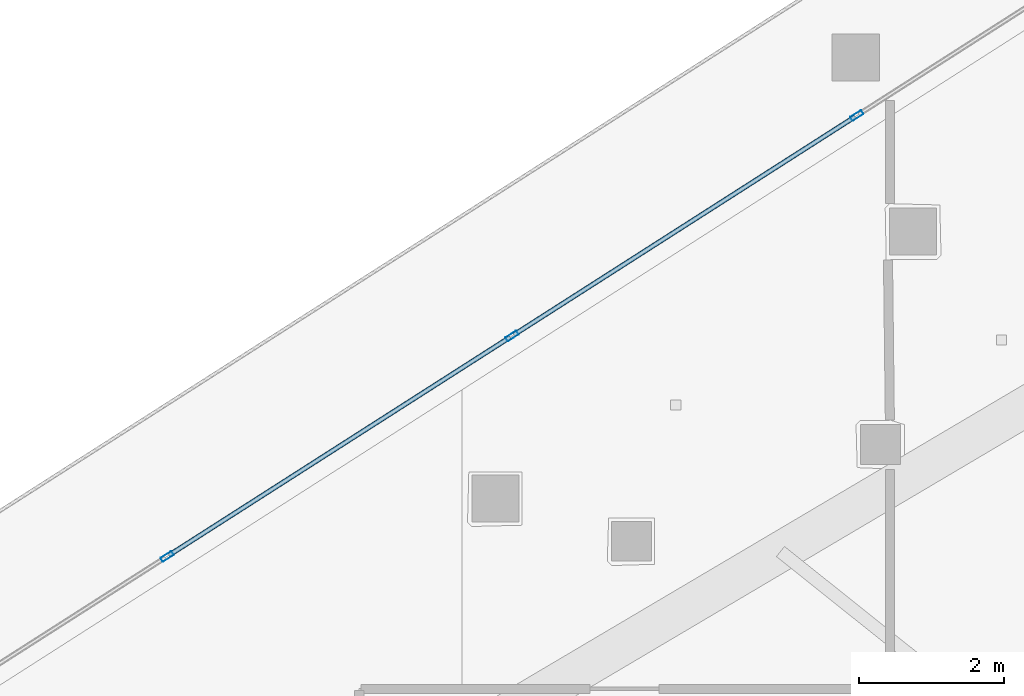
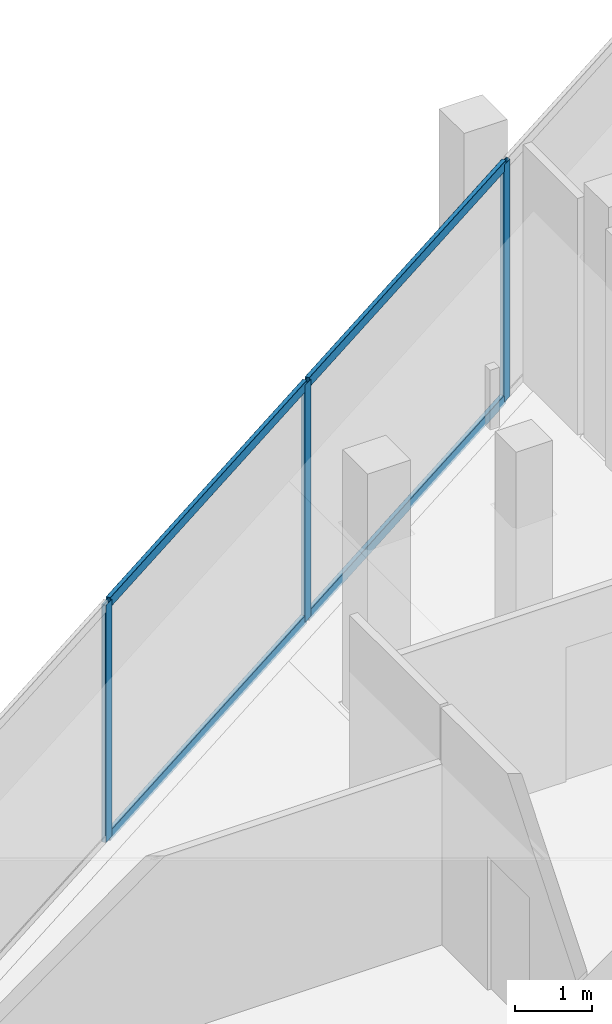
# One storey, part 17 of 37: 7 members, 1 element without a shape of its own.
"""IFC4 building model written with IfcOpenShell, lengths in metres."""

from ifc_helpers import new_model, si_unit, direction, frame, origin, origin_2d, place, context, subcontext, project, spatial, hollow_rectangle, extrude, material, layer, layer_set, material_profile, profile_set, type_object, element, aggregate, save


model = new_model("IFC4")

# Units and contexts
model_context = context("Model", 3, precision=1e-05, world=origin(), true_north=direction((0.0, 1.0)))
body_context = subcontext(model_context, "Body", "Model", "MODEL_VIEW")
ifc_project = project(units=[si_unit("LENGTHUNIT", "METRE"), si_unit("AREAUNIT", "SQUARE_METRE"), si_unit("VOLUMEUNIT", "CUBIC_METRE"), si_unit("PLANEANGLEUNIT", "RADIAN"), si_unit("MASSUNIT", "GRAM", prefix="KILO")], contexts=[model_context])

# Site, building, storey
site_placement = place(None, origin())
site = spatial("IfcSite", under=ifc_project, at=site_placement, CompositionType="ELEMENT")
building_placement = place(site_placement, origin())
building = spatial("IfcBuilding", under=site, at=building_placement, Name="Qorvath Tower", CompositionType="ELEMENT")
storey_placement = place(building_placement, frame((0.0, 0.0, 196.949951171875)))
storey = spatial("IfcBuildingStorey", under=building, at=storey_placement, Name="L45", CompositionType="ELEMENT", Elevation=196.949951171875)

# Curtain wall, members
ifc_material_1 = material(Name="Anodised aluminium and triple low-E glass", Category="aluminium")
ifc_layer = layer(ifc_material_1, 0.179931640625)
ifc_layer_set = layer_set([ifc_layer], Name="CW-SYS-3")
curtain_wall_type = type_object("IfcCurtainWallType", Name="CW-SYS-3", PredefinedType="NOTDEFINED", material=ifc_layer_set)
curtain_wall_placement = place(storey_placement, origin())
curtain_wall = element("IfcCurtainWall", 1, at=curtain_wall_placement, inside=storey, type_object=curtain_wall_type, Name="Curtain Wall CW-3 CW-T-L45-16.1", PredefinedType="NOTDEFINED")
ifc_material_2 = material(Name="Anodised aluminium 6063-T6", Category="aluminium")
ifc_material_profile_1 = material_profile(ifc_material_2, hollow_rectangle(XDim=0.06494140625, YDim=0.179931640625, WallThickness=0.00341796875, InnerFilletRadius=0.00341796875, OuterFilletRadius=0.007080078125, at=origin_2d()), Name="CWM 180x65")
ifc_profile_set_1 = profile_set([ifc_material_profile_1], Name="Anodised aluminium 6063-T6")
member_type_1 = type_object("IfcMemberType", Name="CWM-180", PredefinedType="MULLION", material=ifc_profile_set_1)
member_1_placement = place(storey_placement, frame((-31.000244140625, 18.65869140625, 0.0), z_axis=(0.0, 0.0, 1.0), x_axis=(0.538533623725, -0.842604020948, 0.0)))
member_1 = element("IfcMember", 2, at=member_1_placement, type_object=member_type_1, Name="CW-3 mullion 4", PredefinedType="MULLION", context=body_context, shape_type="SweptSolid", body=[
    extrude(hollow_rectangle(XDim=0.06494140625, YDim=0.179931640625, WallThickness=0.00341796875, InnerFilletRadius=0.00341796875, OuterFilletRadius=0.007080078125, at=origin_2d()), origin(), (0.0, 0.0, 1.0), 3.780029296875),
])
member_2_placement = place(storey_placement, frame((-35.752685546875, 15.62109375, 0.0), z_axis=(0.0, 0.0, 1.0), x_axis=(0.538533623725, -0.842604020948, 0.0)))
member_2 = element("IfcMember", 3, at=member_2_placement, type_object=member_type_1, Name="CW-3 mullion 5", PredefinedType="MULLION", context=body_context, shape_type="SweptSolid", body=[
    extrude(hollow_rectangle(XDim=0.06494140625, YDim=0.179931640625, WallThickness=0.00341796875, InnerFilletRadius=0.00341796875, OuterFilletRadius=0.007080078125, at=origin_2d()), origin(), (0.0, 0.0, 1.0), 3.780029296875),
])
member_3_placement = place(storey_placement, frame((-40.50537109375, 12.583740234375, 0.0), z_axis=(0.0, 0.0, 1.0), x_axis=(0.538533623725, -0.842604020948, 0.0)))
member_3 = element("IfcMember", 4, at=member_3_placement, type_object=member_type_1, Name="CW-3 mullion 6", PredefinedType="MULLION", context=body_context, shape_type="SweptSolid", body=[
    extrude(hollow_rectangle(XDim=0.06494140625, YDim=0.179931640625, WallThickness=0.00341796875, InnerFilletRadius=0.00341796875, OuterFilletRadius=0.007080078125, at=origin_2d()), origin(), (0.0, 0.0, 1.0), 3.780029296875),
])
ifc_material_3 = material(Name="Anodised aluminium 6063-T6", Category="aluminium")
ifc_material_profile_2 = material_profile(ifc_material_3, hollow_rectangle(XDim=0.06494140625, YDim=0.159912109375, WallThickness=0.00341796875, InnerFilletRadius=0.00341796875, OuterFilletRadius=0.007080078125, at=origin_2d()), Name="CWT 160x65")
ifc_profile_set_2 = profile_set([ifc_material_profile_2], Name="Anodised aluminium 6063-T6")
member_type_2 = type_object("IfcMemberType", Name="CWT-160", PredefinedType="USERDEFINED", material=ifc_profile_set_2)
member_4_placement = place(storey_placement, frame((-31.027587890625, 18.64111328125, 0.032470703125), z_axis=(-0.842606844645, -0.538529205667, 0.0), x_axis=(0.538529205667, -0.842606844645, 0.0)))
member_4 = element("IfcMember", 5, at=member_4_placement, type_object=member_type_2, Name="CW-3 transom 4.1", ObjectType="TRANSOM", PredefinedType="USERDEFINED", context=body_context, shape_type="SweptSolid", body=[
    extrude(hollow_rectangle(XDim=0.06494140625, YDim=0.159912109375, WallThickness=0.00341796875, InnerFilletRadius=0.00341796875, OuterFilletRadius=0.007080078125, at=origin_2d()), origin(), (0.0, 0.0, 1.0), 5.5751953125),
])
member_5_placement = place(storey_placement, frame((-31.027587890625, 18.64111328125, 3.74755859375), z_axis=(-0.842606844645, -0.538529205667, 0.0), x_axis=(0.538529205667, -0.842606844645, 0.0)))
member_5 = element("IfcMember", 6, at=member_5_placement, type_object=member_type_2, Name="CW-3 transom 4.2", ObjectType="TRANSOM", PredefinedType="USERDEFINED", context=body_context, shape_type="SweptSolid", body=[
    extrude(hollow_rectangle(XDim=0.06494140625, YDim=0.159912109375, WallThickness=0.00341796875, InnerFilletRadius=0.00341796875, OuterFilletRadius=0.007080078125, at=origin_2d()), origin(), (0.0, 0.0, 1.0), 5.5751953125),
])
member_6_placement = place(storey_placement, frame((-35.7802734375, 15.603759765625, 0.032470703125), z_axis=(-0.842594144247, -0.538549076761, 0.0), x_axis=(0.538549076761, -0.842594144247, 0.0)))
member_6 = element("IfcMember", 7, at=member_6_placement, type_object=member_type_2, Name="CW-3 transom 5.1", ObjectType="TRANSOM", PredefinedType="USERDEFINED", context=body_context, shape_type="SweptSolid", body=[
    extrude(hollow_rectangle(XDim=0.06494140625, YDim=0.159912109375, WallThickness=0.00341796875, InnerFilletRadius=0.00341796875, OuterFilletRadius=0.007080078125, at=origin_2d()), origin(), (0.0, 0.0, 1.0), 5.574951171875),
])
member_7_placement = place(storey_placement, frame((-35.7802734375, 15.603759765625, 3.74755859375), z_axis=(-0.842594144247, -0.538549076761, 0.0), x_axis=(0.538549076761, -0.842594144247, 0.0)))
member_7 = element("IfcMember", 8, at=member_7_placement, type_object=member_type_2, Name="CW-3 transom 5.2", ObjectType="TRANSOM", PredefinedType="USERDEFINED", context=body_context, shape_type="SweptSolid", body=[
    extrude(hollow_rectangle(XDim=0.06494140625, YDim=0.159912109375, WallThickness=0.00341796875, InnerFilletRadius=0.00341796875, OuterFilletRadius=0.007080078125, at=origin_2d()), origin(), (0.0, 0.0, 1.0), 5.574951171875),
])
aggregate(curtain_wall, [member_1, member_2, member_3, member_4, member_5, member_6, member_7])

save(model, "model.ifc")
